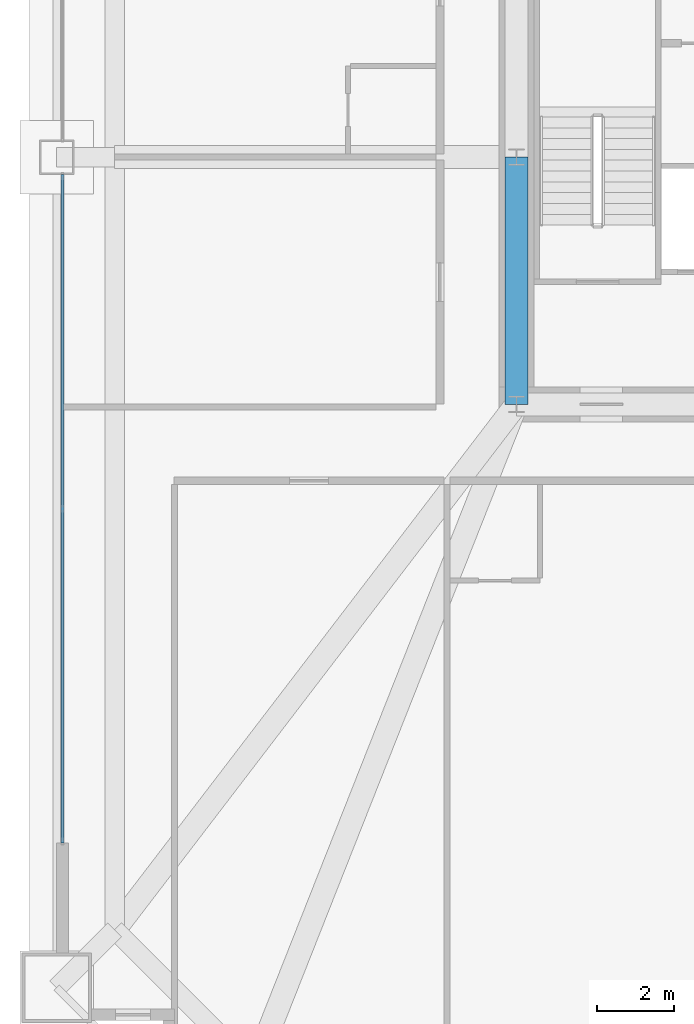
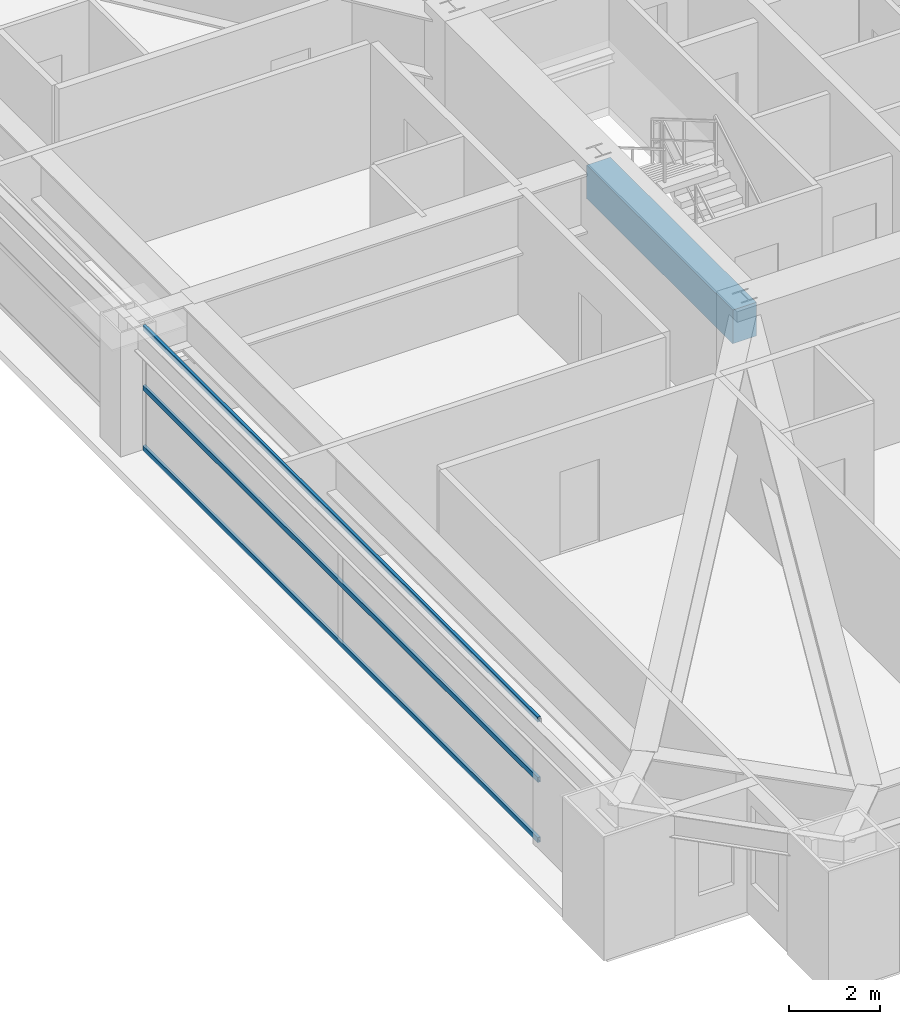
# One storey, part 10 of 44: 3 members, 1 beam, 1 element without a shape of its own.
"""IFC4 building model written with IfcOpenShell, lengths in metres."""

from ifc_helpers import new_model, si_unit, direction, frame, origin, origin_2d, place, context, subcontext, project, spatial, rectangle, hollow_rectangle, extrude, source, transform, mapped, material, layer, layer_set, material_profile, profile_set, type_object, element, aggregate, save


model = new_model("IFC4")

# Units and contexts
model_context = context("Model", 3, precision=1e-05, world=origin(), true_north=direction((0.0, 1.0)))
body_context = subcontext(model_context, "Body", "Model", "MODEL_VIEW")
ifc_project = project(units=[si_unit("LENGTHUNIT", "METRE"), si_unit("AREAUNIT", "SQUARE_METRE"), si_unit("VOLUMEUNIT", "CUBIC_METRE"), si_unit("PLANEANGLEUNIT", "RADIAN"), si_unit("MASSUNIT", "GRAM", prefix="KILO"), si_unit("THERMODYNAMICTEMPERATUREUNIT", "KELVIN"), si_unit("POWERUNIT", "WATT")], contexts=[model_context])

# Site, building, storey
site_placement = place(None, origin())
site = spatial("IfcSite", under=ifc_project, at=site_placement, CompositionType="ELEMENT")
building_placement = place(site_placement, origin())
building = spatial("IfcBuilding", under=site, at=building_placement, Name="Yuzanri Waterfront Tower", CompositionType="ELEMENT")
storey_placement = place(building_placement, frame((0.0, 0.0, 82.0)))
storey = spatial("IfcBuildingStorey", under=building, at=storey_placement, Name="L21", CompositionType="ELEMENT", Elevation=82.0)

# Beam
ifc_material_1 = material(Name="Concrete C60", Category="concrete")
ifc_material_profile_1 = material_profile(ifc_material_1, rectangle(XDim=0.60009765625, YDim=0.89990234375, at=origin_2d()), Name="RC 600x900")
ifc_profile_set_1 = profile_set([ifc_material_profile_1], Name="Concrete C60")
beam_type = type_object("IfcBeamType", Name="Core Coupling Lintel Concrete C60 600x900", PredefinedType="LINTEL", material=ifc_profile_set_1)
shared_shape_1 = source(origin(), body_context, "Body", "SweptSolid", [
    extrude(rectangle(XDim=0.60009765625, YDim=0.89990234375, at=origin_2d()), origin(), (0.0, 0.0, 1.0), 6.400146484375),
])
beam_placement = place(storey_placement, frame((23.800048828125, 19.39990234375, 2.8701171875), z_axis=(0.0, 1.0, 0.0), x_axis=(-1.0, 0.0, 0.0)))
element("IfcBeam", 1, at=beam_placement, inside=storey, type_object=beam_type, Name="L21 Core Tie Beam CW1", PredefinedType="LINTEL", context=body_context, shape_type="MappedRepresentation", body=[
    mapped(shared_shape_1, transform((0.0, 0.0, 0.0), scale=1.0)),
])

# Curtain wall, members
ifc_material_2 = material(Name="Anodized Architectural Bronze", Category="metal")
ifc_layer = layer(ifc_material_2, 0.159912109375)
ifc_layer_set = layer_set([ifc_layer], Name="Anodized Architectural Bronze")
curtain_wall_type = type_object("IfcCurtainWallType", Name="Anodized Bronze Hotel Lower-Tier Recessed Unitized Curtain Wall 8100", PredefinedType="NOTDEFINED", material=ifc_layer_set)
curtain_wall_placement = place(storey_placement, origin())
curtain_wall = element("IfcCurtainWall", 2, at=curtain_wall_placement, inside=storey, type_object=curtain_wall_type, Name="L21 Curtain Wall CW-L21-WL", PredefinedType="NOTDEFINED")
ifc_material_3 = material(Name="Anodized Architectural Bronze", Category="metal")
ifc_material_profile_2 = material_profile(ifc_material_3, hollow_rectangle(XDim=0.070068359375, YDim=0.135009765625, WallThickness=0.00341796875, at=origin_2d()), Name="CWT 70x135")
ifc_profile_set_2 = profile_set([ifc_material_profile_2], Name="Anodized Architectural Bronze")
member_type = type_object("IfcMemberType", Name="Anodized Bronze Standard Curtain-Wall Transom 70x135", PredefinedType="USERDEFINED", material=ifc_profile_set_2)
shared_shape_2 = source(origin(), body_context, "Body", "SweptSolid", [
    extrude(hollow_rectangle(XDim=0.070068359375, YDim=0.135009765625, WallThickness=0.00341796875, at=origin_2d()), origin(), (0.0, 0.0, 1.0), 17.300048828125),
])
member_1_placement = place(storey_placement, frame((12.050048828125, 8.050048828125, 0.050048828125), z_axis=(0.0, 1.0, 0.0), x_axis=(-1.0, 0.0, 0.0)))
member_1 = element("IfcMember", 3, at=member_1_placement, type_object=member_type, Name="CW-L21-WL Transom 1", ObjectType="TRANSOM", PredefinedType="USERDEFINED", context=body_context, shape_type="MappedRepresentation", body=[
    mapped(shared_shape_2, transform((0.0, 0.0, 0.0), scale=1.0)),
])
member_2_placement = place(storey_placement, frame((12.050048828125, 8.050048828125, 1.659912109375), z_axis=(0.0, 1.0, 0.0), x_axis=(-1.0, 0.0, 0.0)))
member_2 = element("IfcMember", 4, at=member_2_placement, type_object=member_type, Name="CW-L21-WL Transom 2", ObjectType="TRANSOM", PredefinedType="USERDEFINED", context=body_context, shape_type="MappedRepresentation", body=[
    mapped(shared_shape_2, transform((0.0, 0.0, 0.0), scale=1.0)),
])
member_3_placement = place(storey_placement, frame((12.050048828125, 8.050048828125, 3.27001953125), z_axis=(0.0, 1.0, 0.0), x_axis=(-1.0, 0.0, 0.0)))
member_3 = element("IfcMember", 5, at=member_3_placement, type_object=member_type, Name="CW-L21-WL Transom 3", ObjectType="TRANSOM", PredefinedType="USERDEFINED", context=body_context, shape_type="MappedRepresentation", body=[
    mapped(shared_shape_2, transform((0.0, 0.0, 0.0), scale=1.0)),
])
aggregate(curtain_wall, [member_1, member_2, member_3])

save(model, "model.ifc")
